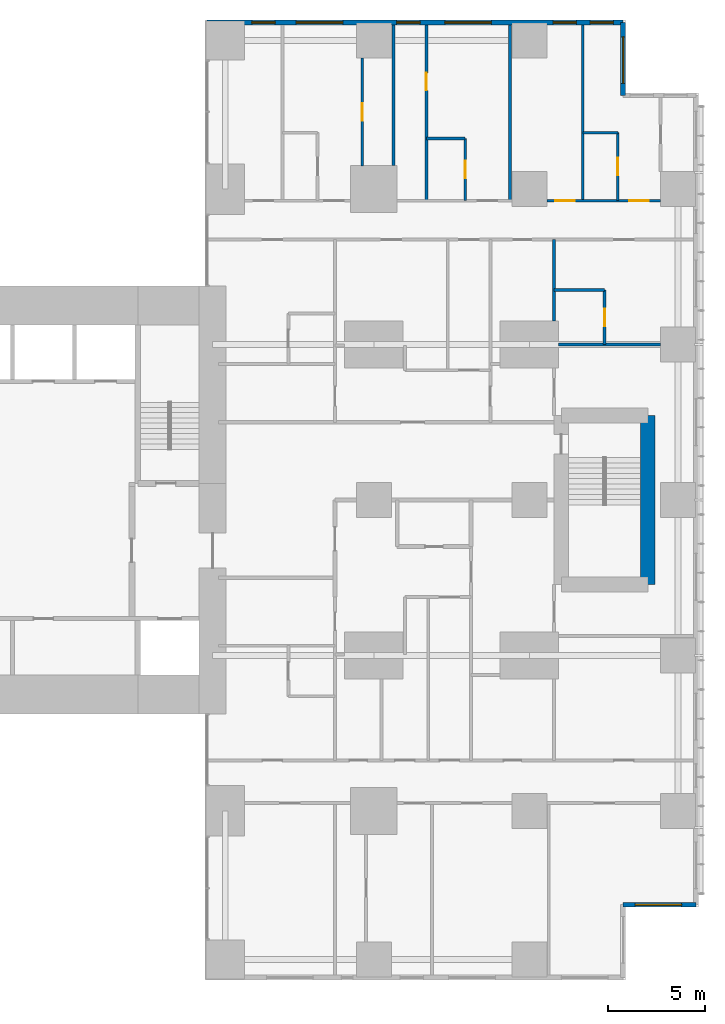
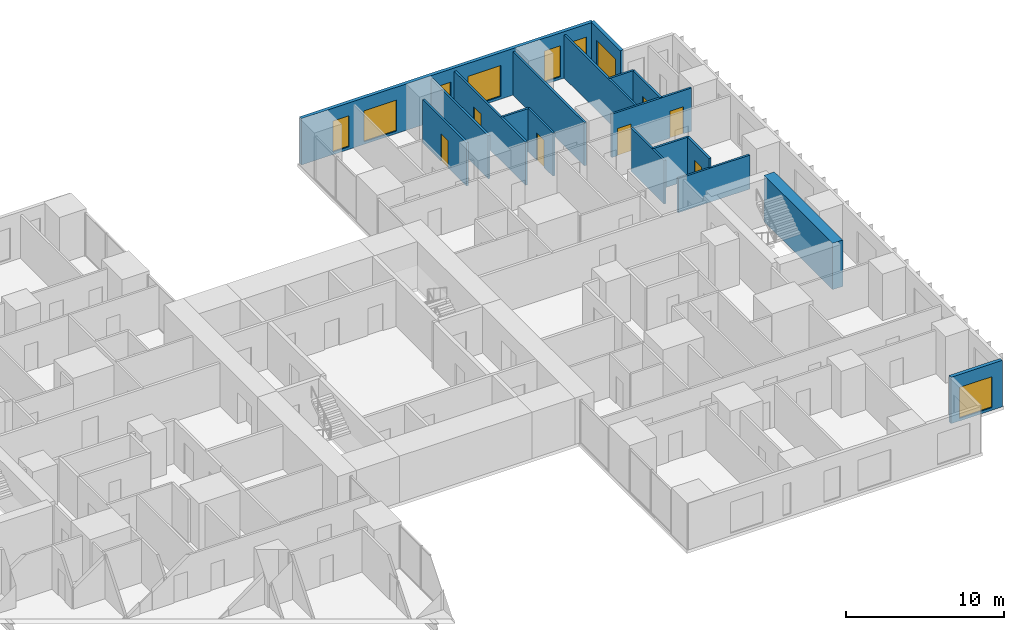
# One storey, part 18 of 20: 18 walls, 8 windows, 7 doors, 15 openings.
"""IFC4 building model written with IfcOpenShell, lengths in metres."""

from ifc_helpers import new_model, si_unit, direction, frame, frame_2d, origin, place, context, subcontext, project, spatial, rectangle, extrude, material, layer, layer_set, type_object, element, fill, save


model = new_model("IFC4")

# Units and contexts
model_context = context("Model", 3, precision=1e-05, world=origin(), true_north=direction((0.0, 1.0)))
body_context = subcontext(model_context, "Body", "Model", "MODEL_VIEW")
ifc_project = project(units=[si_unit("LENGTHUNIT", "METRE"), si_unit("AREAUNIT", "SQUARE_METRE"), si_unit("VOLUMEUNIT", "CUBIC_METRE"), si_unit("PLANEANGLEUNIT", "RADIAN"), si_unit("MASSUNIT", "GRAM", prefix="KILO")], contexts=[model_context])

# Site, building, storey
site_placement = place(None, origin())
site = spatial("IfcSite", under=ifc_project, at=site_placement, CompositionType="ELEMENT")
building_placement = place(site_placement, origin())
building = spatial("IfcBuilding", under=site, at=building_placement, Name="Cleftline Residences", CompositionType="ELEMENT")
storey_placement = place(building_placement, frame((0.0, 0.0, 193.0)))
storey = spatial("IfcBuildingStorey", under=building, at=storey_placement, Name="L50", CompositionType="ELEMENT", Elevation=193.0)

# Wall, opening, window
ifc_material_1 = material(Name="Rendered reinforced concrete blockwork", Category="masonry")
ifc_layer_1 = layer(ifc_material_1, 0.25)
ifc_layer_set_1 = layer_set([ifc_layer_1], Name="EXTERNAL WALL 250")
wall_type_1 = type_object("IfcWallType", Name="EXTERNAL WALL 250", PredefinedType="SOLIDWALL", material=ifc_layer_set_1)
wall_1_placement = place(storey_placement, frame((62.824951171875, 3.175048828125, 0.0), z_axis=(0.0, 0.0, 1.0), x_axis=(1.0, 0.0, 0.0)))
wall_1 = element("IfcWall", 1, at=wall_1_placement, inside=storey, type_object=wall_type_1, Name="External wall", PredefinedType="SOLIDWALL", context=body_context, shape_type="SweptSolid", body=[
    extrude(rectangle(XDim=3.75, YDim=0.25, at=frame_2d((1.875, 0.0))), origin(), (0.0, 0.0, 1.0), 3.60009765625),
])
opening_1_placement = place(wall_1_placement, frame((0.612548828125, 0.0, 0.199951171875)))
opening_1 = element("IfcOpeningElement", 2, at=opening_1_placement, cuts=wall_1, Name="Opening W9", PredefinedType="OPENING", context=body_context, shape_type="SweptSolid", body=[
    extrude(rectangle(XDim=2.39990234375, YDim=2.39990234375, at=frame_2d((1.199951171875, 1.199951171875))), frame((0.0, 0.135009765625, 0.0), z_axis=(0.0, -1.0, 0.0), x_axis=(1.0, 0.0, 0.0)), (0.0, 0.0, 1.0), 0.27001953125),
])
ifc_material_2 = material(Name="Aluminium frame, clear double glazing", Category="aluminium")
window_type_1 = type_object("IfcWindowType", Name="WINDOW 2400X2400", PartitioningType="DOUBLE_PANEL_VERTICAL", PredefinedType="WINDOW", material=ifc_material_2)
window_1_placement = place(opening_1_placement, origin())
window_1 = element("IfcWindow", 3, at=window_1_placement, inside=storey, type_object=window_type_1, Name="Window", OverallHeight=2.39990234375, OverallWidth=2.39990234375, PartitioningType="SINGLE_PANEL", PredefinedType="WINDOW", context=body_context, shape_type="SweptSolid", body=[
    extrude(rectangle(XDim=2.39990234375, YDim=2.39990234375, at=frame_2d((1.199951171875, 1.199951171875))), frame((0.0, 0.030029296875, 0.0), z_axis=(0.0, -1.0, 0.0), x_axis=(1.0, 0.0, 0.0)), (0.0, 0.0, 1.0), 0.06005859375),
])
fill(opening_1, window_1)

wall_2_placement = place(storey_placement, frame((62.824951171875, 44.824951171875, 0.0), z_axis=(0.0, 0.0, 1.0), x_axis=(0.0, 1.0, 0.0)))
wall_2 = element("IfcWall", 4, at=wall_2_placement, inside=storey, type_object=wall_type_1, Name="External wall", PredefinedType="SOLIDWALL", context=body_context, shape_type="SweptSolid", body=[
    extrude(rectangle(XDim=3.75, YDim=0.25, at=frame_2d((1.875, 0.0))), origin(), (0.0, 0.0, 1.0), 3.60009765625),
])
opening_2_placement = place(wall_2_placement, frame((0.612548828125, 0.0, 0.199951171875)))
opening_2 = element("IfcOpeningElement", 5, at=opening_2_placement, cuts=wall_2, Name="Opening W9", PredefinedType="OPENING", context=body_context, shape_type="SweptSolid", body=[
    extrude(rectangle(XDim=2.39990234375, YDim=2.39990234375, at=frame_2d((1.199951171875, 1.199951171875))), frame((0.0, 0.135009765625, 0.0), z_axis=(0.0, -1.0, 0.0), x_axis=(1.0, 0.0, 0.0)), (0.0, 0.0, 1.0), 0.27001953125),
])
window_2_placement = place(opening_2_placement, origin())
window_2 = element("IfcWindow", 6, at=window_2_placement, inside=storey, type_object=window_type_1, Name="Window", OverallHeight=2.39990234375, OverallWidth=2.39990234375, PartitioningType="SINGLE_PANEL", PredefinedType="WINDOW", context=body_context, shape_type="SweptSolid", body=[
    extrude(rectangle(XDim=2.39990234375, YDim=2.39990234375, at=frame_2d((1.199951171875, 1.199951171875))), frame((0.0, 0.030029296875, 0.0), z_axis=(0.0, -1.0, 0.0), x_axis=(1.0, 0.0, 0.0)), (0.0, 0.0, 1.0), 0.06005859375),
])
fill(opening_2, window_2)

# Wall, openings, windows
wall_3_placement = place(storey_placement, frame((62.824951171875, 48.574951171875, 0.0), z_axis=(0.0, 0.0, 1.0), x_axis=(-1.0, 0.0, 0.0)))
wall_3 = element("IfcWall", 7, at=wall_3_placement, inside=storey, type_object=wall_type_1, Name="External wall", PredefinedType="SOLIDWALL", context=body_context, shape_type="SweptSolid", body=[
    extrude(rectangle(XDim=21.39990234375, YDim=0.25, at=frame_2d((10.699951171875, 0.0))), origin(), (0.0, 0.0, 1.0), 3.60009765625),
])
opening_3_placement = place(wall_3_placement, frame((0.5, 0.0, 0.199951171875)))
opening_3 = element("IfcOpeningElement", 8, at=opening_3_placement, cuts=wall_3, Name="Opening W13", PredefinedType="OPENING", context=body_context, shape_type="SweptSolid", body=[
    extrude(rectangle(XDim=1.199951171875, YDim=2.39990234375, at=frame_2d((0.60009765625, 1.199951171875))), frame((0.0, 0.135009765625, 0.0), z_axis=(0.0, -1.0, 0.0), x_axis=(1.0, 0.0, 0.0)), (0.0, 0.0, 1.0), 0.27001953125),
])
opening_4_placement = place(wall_3_placement, frame((2.39990234375, 0.0, 0.199951171875)))
opening_4 = element("IfcOpeningElement", 9, at=opening_4_placement, cuts=wall_3, Name="Opening W13", PredefinedType="OPENING", context=body_context, shape_type="SweptSolid", body=[
    extrude(rectangle(XDim=1.199951171875, YDim=2.39990234375, at=frame_2d((0.60009765625, 1.199951171875))), frame((0.0, 0.135009765625, 0.0), z_axis=(0.0, -1.0, 0.0), x_axis=(1.0, 0.0, 0.0)), (0.0, 0.0, 1.0), 0.27001953125),
])
opening_5_placement = place(wall_3_placement, frame((6.77490234375, 0.0, 0.199951171875)))
opening_5 = element("IfcOpeningElement", 10, at=opening_5_placement, cuts=wall_3, Name="Opening W9", PredefinedType="OPENING", context=body_context, shape_type="SweptSolid", body=[
    extrude(rectangle(XDim=2.39990234375, YDim=2.39990234375, at=frame_2d((1.199951171875, 1.199951171875))), frame((0.0, 0.135009765625, 0.0), z_axis=(0.0, -1.0, 0.0), x_axis=(1.0, 0.0, 0.0)), (0.0, 0.0, 1.0), 0.27001953125),
])
opening_6_placement = place(wall_3_placement, frame((10.449951171875, 0.0, 0.199951171875)))
opening_6 = element("IfcOpeningElement", 11, at=opening_6_placement, cuts=wall_3, Name="Opening W13", PredefinedType="OPENING", context=body_context, shape_type="SweptSolid", body=[
    extrude(rectangle(XDim=1.199951171875, YDim=2.39990234375, at=frame_2d((0.60009765625, 1.199951171875))), frame((0.0, 0.135009765625, 0.0), z_axis=(0.0, -1.0, 0.0), x_axis=(1.0, 0.0, 0.0)), (0.0, 0.0, 1.0), 0.27001953125),
])
opening_7_placement = place(wall_3_placement, frame((14.425048828125, 0.0, 0.199951171875)))
opening_7 = element("IfcOpeningElement", 12, at=opening_7_placement, cuts=wall_3, Name="Opening W9", PredefinedType="OPENING", context=body_context, shape_type="SweptSolid", body=[
    extrude(rectangle(XDim=2.39990234375, YDim=2.39990234375, at=frame_2d((1.199951171875, 1.199951171875))), frame((0.0, 0.135009765625, 0.0), z_axis=(0.0, -1.0, 0.0), x_axis=(1.0, 0.0, 0.0)), (0.0, 0.0, 1.0), 0.27001953125),
])
opening_8_placement = place(wall_3_placement, frame((17.89990234375, 0.0, 0.199951171875)))
opening_8 = element("IfcOpeningElement", 13, at=opening_8_placement, cuts=wall_3, Name="Opening W13", PredefinedType="OPENING", context=body_context, shape_type="SweptSolid", body=[
    extrude(rectangle(XDim=1.199951171875, YDim=2.39990234375, at=frame_2d((0.60009765625, 1.199951171875))), frame((0.0, 0.135009765625, 0.0), z_axis=(0.0, -1.0, 0.0), x_axis=(1.0, 0.0, 0.0)), (0.0, 0.0, 1.0), 0.27001953125),
])
ifc_material_3 = material(Name="Aluminium frame, clear double glazing", Category="aluminium")
window_type_2 = type_object("IfcWindowType", Name="WINDOW 1200X2400", PartitioningType="DOUBLE_PANEL_VERTICAL", PredefinedType="WINDOW", material=ifc_material_3)
window_3_placement = place(opening_3_placement, origin())
window_3 = element("IfcWindow", 14, at=window_3_placement, inside=storey, type_object=window_type_2, Name="Window", OverallHeight=2.39990234375, OverallWidth=1.199951171875, PartitioningType="SINGLE_PANEL", PredefinedType="WINDOW", context=body_context, shape_type="SweptSolid", body=[
    extrude(rectangle(XDim=1.199951171875, YDim=2.39990234375, at=frame_2d((0.60009765625, 1.199951171875))), frame((0.0, 0.030029296875, 0.0), z_axis=(0.0, -1.0, 0.0), x_axis=(1.0, 0.0, 0.0)), (0.0, 0.0, 1.0), 0.06005859375),
])
fill(opening_3, window_3)
window_4_placement = place(opening_4_placement, origin())
window_4 = element("IfcWindow", 15, at=window_4_placement, inside=storey, type_object=window_type_2, Name="Window", OverallHeight=2.39990234375, OverallWidth=1.199951171875, PartitioningType="SINGLE_PANEL", PredefinedType="WINDOW", context=body_context, shape_type="SweptSolid", body=[
    extrude(rectangle(XDim=1.199951171875, YDim=2.39990234375, at=frame_2d((0.60009765625, 1.199951171875))), frame((0.0, 0.030029296875, 0.0), z_axis=(0.0, -1.0, 0.0), x_axis=(1.0, 0.0, 0.0)), (0.0, 0.0, 1.0), 0.06005859375),
])
fill(opening_4, window_4)
window_5_placement = place(opening_6_placement, origin())
window_5 = element("IfcWindow", 16, at=window_5_placement, inside=storey, type_object=window_type_2, Name="Window", OverallHeight=2.39990234375, OverallWidth=1.199951171875, PartitioningType="SINGLE_PANEL", PredefinedType="WINDOW", context=body_context, shape_type="SweptSolid", body=[
    extrude(rectangle(XDim=1.199951171875, YDim=2.39990234375, at=frame_2d((0.60009765625, 1.199951171875))), frame((0.0, 0.030029296875, 0.0), z_axis=(0.0, -1.0, 0.0), x_axis=(1.0, 0.0, 0.0)), (0.0, 0.0, 1.0), 0.06005859375),
])
fill(opening_6, window_5)
window_6_placement = place(opening_8_placement, origin())
window_6 = element("IfcWindow", 17, at=window_6_placement, inside=storey, type_object=window_type_2, Name="Window", OverallHeight=2.39990234375, OverallWidth=1.199951171875, PartitioningType="SINGLE_PANEL", PredefinedType="WINDOW", context=body_context, shape_type="SweptSolid", body=[
    extrude(rectangle(XDim=1.199951171875, YDim=2.39990234375, at=frame_2d((0.60009765625, 1.199951171875))), frame((0.0, 0.030029296875, 0.0), z_axis=(0.0, -1.0, 0.0), x_axis=(1.0, 0.0, 0.0)), (0.0, 0.0, 1.0), 0.06005859375),
])
fill(opening_8, window_6)
window_7_placement = place(opening_5_placement, origin())
window_7 = element("IfcWindow", 18, at=window_7_placement, inside=storey, type_object=window_type_1, Name="Window", OverallHeight=2.39990234375, OverallWidth=2.39990234375, PartitioningType="SINGLE_PANEL", PredefinedType="WINDOW", context=body_context, shape_type="SweptSolid", body=[
    extrude(rectangle(XDim=2.39990234375, YDim=2.39990234375, at=frame_2d((1.199951171875, 1.199951171875))), frame((0.0, 0.030029296875, 0.0), z_axis=(0.0, -1.0, 0.0), x_axis=(1.0, 0.0, 0.0)), (0.0, 0.0, 1.0), 0.06005859375),
])
fill(opening_5, window_7)
window_8_placement = place(opening_7_placement, origin())
window_8 = element("IfcWindow", 19, at=window_8_placement, inside=storey, type_object=window_type_1, Name="Window", OverallHeight=2.39990234375, OverallWidth=2.39990234375, PartitioningType="SINGLE_PANEL", PredefinedType="WINDOW", context=body_context, shape_type="SweptSolid", body=[
    extrude(rectangle(XDim=2.39990234375, YDim=2.39990234375, at=frame_2d((1.199951171875, 1.199951171875))), frame((0.0, 0.030029296875, 0.0), z_axis=(0.0, -1.0, 0.0), x_axis=(1.0, 0.0, 0.0)), (0.0, 0.0, 1.0), 0.06005859375),
])
fill(opening_7, window_8)

# Walls
ifc_material_4 = material(Name="Gypsum board on steel studs", Category="steel")
ifc_layer_2 = layer(ifc_material_4, 0.14990234375)
ifc_layer_set_2 = layer_set([ifc_layer_2], Name="PARTITION 150")
wall_type_2 = type_object("IfcWallType", Name="PARTITION 150", PredefinedType="PARTITIONING", material=ifc_layer_set_2)
wall_4_placement = place(storey_placement, frame((59.5, 32.0, 0.0), z_axis=(0.0, 0.0, 1.0), x_axis=(1.0, 0.0, 0.0)))
element("IfcWall", 20, at=wall_4_placement, inside=storey, type_object=wall_type_2, Name="Partition", PredefinedType="PARTITIONING", context=body_context, shape_type="SweptSolid", body=[
    extrude(rectangle(XDim=5.25, YDim=0.14990234375, at=frame_2d((2.625, 0.0))), origin(), (0.0, 0.0, 1.0), 2.634033203125),
])
wall_5_placement = place(storey_placement, frame((59.27490234375, 34.800048828125, 0.0), z_axis=(0.0, 0.0, 1.0), x_axis=(1.0, 0.0, 0.0)))
element("IfcWall", 21, at=wall_5_placement, inside=storey, type_object=wall_type_2, Name="Partition", PredefinedType="PARTITIONING", context=body_context, shape_type="SweptSolid", body=[
    extrude(rectangle(XDim=2.60009765625, YDim=0.14990234375, at=frame_2d((1.300048828125, 0.0))), origin(), (0.0, 0.0, 1.0), 3.35009765625),
])

# Wall, openings, doors
wall_6_placement = place(storey_placement, frame((58.89990234375, 39.39990234375, 0.0), z_axis=(0.0, 0.0, 1.0), x_axis=(1.0, 0.0, 0.0)))
wall_6 = element("IfcWall", 22, at=wall_6_placement, inside=storey, type_object=wall_type_2, Name="Partition", PredefinedType="PARTITIONING", context=body_context, shape_type="SweptSolid", body=[
    extrude(rectangle(XDim=5.85009765625, YDim=0.14990234375, at=frame_2d((2.925048828125, 0.0))), origin(), (0.0, 0.0, 1.0), 3.35009765625),
])
opening_9_placement = place(wall_6_placement, frame((4.25, 0.0, 0.0)))
opening_9 = element("IfcOpeningElement", 23, at=opening_9_placement, cuts=wall_6, Name="Opening D2", PredefinedType="OPENING", context=body_context, shape_type="SweptSolid", body=[
    extrude(rectangle(XDim=1.0, YDim=2.10009765625, at=frame_2d((0.5, 1.050048828125))), frame((0.0, 0.0849609375, 0.0), z_axis=(0.0, -1.0, 0.0), x_axis=(1.0, 0.0, 0.0)), (0.0, 0.0, 1.0), 0.169921875),
])
opening_10_placement = place(wall_6_placement, frame((0.425048828125, 0.0, 0.0)))
opening_10 = element("IfcOpeningElement", 24, at=opening_10_placement, cuts=wall_6, Name="Opening D2", PredefinedType="OPENING", context=body_context, shape_type="SweptSolid", body=[
    extrude(rectangle(XDim=1.0, YDim=2.10009765625, at=frame_2d((0.5, 1.050048828125))), frame((0.0, 0.0849609375, 0.0), z_axis=(0.0, -1.0, 0.0), x_axis=(1.0, 0.0, 0.0)), (0.0, 0.0, 1.0), 0.169921875),
])
ifc_material_5 = material(Name="Timber veneer on solid core", Category="wood")
door_type_1 = type_object("IfcDoorType", Name="DOOR 1000X2100", OperationType="SINGLE_SWING_LEFT", PredefinedType="DOOR", material=ifc_material_5)
door_1_placement = place(opening_9_placement, origin())
door_1 = element("IfcDoor", 25, at=door_1_placement, inside=storey, type_object=door_type_1, Name="Door to bedroom 2", OperationType="SINGLE_SWING_LEFT", OverallHeight=2.10009765625, OverallWidth=1.0, PredefinedType="DOOR", context=body_context, shape_type="SweptSolid", body=[
    extrude(rectangle(XDim=1.0, YDim=2.10009765625, at=frame_2d((0.5, 1.050048828125))), frame((0.0, 0.02490234375, 0.0), z_axis=(0.0, -1.0, 0.0), x_axis=(1.0, 0.0, 0.0)), (0.0, 0.0, 1.0), 0.050048828125),
])
fill(opening_9, door_1)
door_2_placement = place(opening_10_placement, origin())
door_2 = element("IfcDoor", 26, at=door_2_placement, inside=storey, type_object=door_type_1, Name="Door to bedroom 2 sitting room", OperationType="SINGLE_SWING_RIGHT", OverallHeight=2.10009765625, OverallWidth=1.0, PredefinedType="DOOR", context=body_context, shape_type="SweptSolid", body=[
    extrude(rectangle(XDim=1.0, YDim=2.10009765625, at=frame_2d((0.5, 1.050048828125))), frame((0.0, 0.02490234375, 0.0), z_axis=(0.0, -1.0, 0.0), x_axis=(1.0, 0.0, 0.0)), (0.0, 0.0, 1.0), 0.050048828125),
])
fill(opening_10, door_2)

# Walls
wall_7_placement = place(storey_placement, frame((52.699951171875, 42.60009765625, 0.0), z_axis=(0.0, 0.0, 1.0), x_axis=(1.0, 0.0, 0.0)))
element("IfcWall", 27, at=wall_7_placement, inside=storey, type_object=wall_type_2, Name="Partition", PredefinedType="PARTITIONING", context=body_context, shape_type="SweptSolid", body=[
    extrude(rectangle(XDim=2.0, YDim=0.14990234375, at=frame_2d((1.0, 0.0))), origin(), (0.0, 0.0, 1.0), 3.35009765625),
])
wall_8_placement = place(storey_placement, frame((60.75, 42.89990234375, 0.0), z_axis=(0.0, 0.0, 1.0), x_axis=(1.0, 0.0, 0.0)))
element("IfcWall", 28, at=wall_8_placement, inside=storey, type_object=wall_type_2, Name="Partition", PredefinedType="PARTITIONING", context=body_context, shape_type="SweptSolid", body=[
    extrude(rectangle(XDim=1.800048828125, YDim=0.14990234375, at=frame_2d((0.89990234375, 0.0))), origin(), (0.0, 0.0, 1.0), 3.35009765625),
])

# Wall, opening, door
wall_9_placement = place(storey_placement, frame((49.39990234375, 41.199951171875, 0.0), z_axis=(0.0, 0.0, 1.0), x_axis=(0.0, 1.0, 0.0)))
wall_9 = element("IfcWall", 29, at=wall_9_placement, inside=storey, type_object=wall_type_2, Name="Partition", PredefinedType="PARTITIONING", context=body_context, shape_type="SweptSolid", body=[
    extrude(rectangle(XDim=5.550048828125, YDim=0.14990234375, at=frame_2d((2.77490234375, 0.0))), origin(), (0.0, 0.0, 1.0), 3.35009765625),
])
opening_11_placement = place(wall_9_placement, frame((2.324951171875, 0.0, 0.0)))
opening_11 = element("IfcOpeningElement", 30, at=opening_11_placement, cuts=wall_9, Name="Opening D1", PredefinedType="OPENING", context=body_context, shape_type="SweptSolid", body=[
    extrude(rectangle(XDim=0.89990234375, YDim=2.10009765625, at=frame_2d((0.449951171875, 1.050048828125))), frame((0.0, 0.0849609375, 0.0), z_axis=(0.0, -1.0, 0.0), x_axis=(1.0, 0.0, 0.0)), (0.0, 0.0, 1.0), 0.169921875),
])
ifc_material_6 = material(Name="Timber veneer on solid core", Category="wood")
door_type_2 = type_object("IfcDoorType", Name="DOOR 900X2100", OperationType="SINGLE_SWING_LEFT", PredefinedType="DOOR", material=ifc_material_6)
door_3_placement = place(opening_11_placement, origin())
door_3 = element("IfcDoor", 31, at=door_3_placement, inside=storey, type_object=door_type_2, Name="Door to walk-in wardrobe", OperationType="SINGLE_SWING_LEFT", OverallHeight=2.10009765625, OverallWidth=0.89990234375, PredefinedType="DOOR", context=body_context, shape_type="SweptSolid", body=[
    extrude(rectangle(XDim=0.89990234375, YDim=2.10009765625, at=frame_2d((0.449951171875, 1.050048828125))), frame((0.0, 0.02490234375, 0.0), z_axis=(0.0, -1.0, 0.0), x_axis=(1.0, 0.0, 0.0)), (0.0, 0.0, 1.0), 0.050048828125),
])
fill(opening_11, door_3)

# Wall
wall_10_placement = place(storey_placement, frame((51.0, 41.199951171875, 0.0), z_axis=(0.0, 0.0, 1.0), x_axis=(0.0, 1.0, 0.0)))
element("IfcWall", 32, at=wall_10_placement, inside=storey, type_object=wall_type_2, Name="Partition", PredefinedType="PARTITIONING", context=body_context, shape_type="SweptSolid", body=[
    extrude(rectangle(XDim=7.25, YDim=0.14990234375, at=frame_2d((3.625, 0.0))), origin(), (0.0, 0.0, 1.0), 3.35009765625),
])

# Wall, opening, door
wall_11_placement = place(storey_placement, frame((52.699951171875, 39.39990234375, 0.0), z_axis=(0.0, 0.0, 1.0), x_axis=(0.0, 1.0, 0.0)))
wall_11 = element("IfcWall", 33, at=wall_11_placement, inside=storey, type_object=wall_type_2, Name="Partition", PredefinedType="PARTITIONING", context=body_context, shape_type="SweptSolid", body=[
    extrude(rectangle(XDim=9.050048828125, YDim=0.14990234375, at=frame_2d((4.52490234375, 0.0))), origin(), (0.0, 0.0, 1.0), 3.35009765625),
])
opening_12_placement = place(wall_11_placement, frame((5.675048828125, 0.0, 0.0)))
opening_12 = element("IfcOpeningElement", 34, at=opening_12_placement, cuts=wall_11, Name="Opening D1", PredefinedType="OPENING", context=body_context, shape_type="SweptSolid", body=[
    extrude(rectangle(XDim=0.89990234375, YDim=2.10009765625, at=frame_2d((0.449951171875, 1.050048828125))), frame((0.0, 0.0849609375, 0.0), z_axis=(0.0, -1.0, 0.0), x_axis=(1.0, 0.0, 0.0)), (0.0, 0.0, 1.0), 0.169921875),
])
door_4_placement = place(opening_12_placement, origin())
door_4 = element("IfcDoor", 35, at=door_4_placement, inside=storey, type_object=door_type_2, Name="Door to walk-in wardrobe", OperationType="SINGLE_SWING_LEFT", OverallHeight=2.10009765625, OverallWidth=0.89990234375, PredefinedType="DOOR", context=body_context, shape_type="SweptSolid", body=[
    extrude(rectangle(XDim=0.89990234375, YDim=2.10009765625, at=frame_2d((0.449951171875, 1.050048828125))), frame((0.0, 0.02490234375, 0.0), z_axis=(0.0, -1.0, 0.0), x_axis=(1.0, 0.0, 0.0)), (0.0, 0.0, 1.0), 0.050048828125),
])
fill(opening_12, door_4)

wall_12_placement = place(storey_placement, frame((54.699951171875, 39.39990234375, 0.0), z_axis=(0.0, 0.0, 1.0), x_axis=(0.0, 1.0, 0.0)))
wall_12 = element("IfcWall", 36, at=wall_12_placement, inside=storey, type_object=wall_type_2, Name="Partition", PredefinedType="PARTITIONING", context=body_context, shape_type="SweptSolid", body=[
    extrude(rectangle(XDim=3.2001953125, YDim=0.14990234375, at=frame_2d((1.60009765625, 0.0))), origin(), (0.0, 0.0, 1.0), 3.35009765625),
])
opening_13_placement = place(wall_12_placement, frame((1.14990234375, 0.0, 0.0)))
opening_13 = element("IfcOpeningElement", 37, at=opening_13_placement, cuts=wall_12, Name="Opening D1", PredefinedType="OPENING", context=body_context, shape_type="SweptSolid", body=[
    extrude(rectangle(XDim=0.89990234375, YDim=2.10009765625, at=frame_2d((0.449951171875, 1.050048828125))), frame((0.0, 0.0849609375, 0.0), z_axis=(0.0, -1.0, 0.0), x_axis=(1.0, 0.0, 0.0)), (0.0, 0.0, 1.0), 0.169921875),
])
door_5_placement = place(opening_13_placement, origin())
door_5 = element("IfcDoor", 38, at=door_5_placement, inside=storey, type_object=door_type_2, Name="Door to en-suite bathroom 3", OperationType="SINGLE_SWING_LEFT", OverallHeight=2.10009765625, OverallWidth=0.89990234375, PredefinedType="DOOR", context=body_context, shape_type="SweptSolid", body=[
    extrude(rectangle(XDim=0.89990234375, YDim=2.10009765625, at=frame_2d((0.449951171875, 1.050048828125))), frame((0.0, 0.02490234375, 0.0), z_axis=(0.0, -1.0, 0.0), x_axis=(1.0, 0.0, 0.0)), (0.0, 0.0, 1.0), 0.050048828125),
])
fill(opening_13, door_5)

# Walls
wall_13_placement = place(storey_placement, frame((57.0, 39.39990234375, 0.0), z_axis=(0.0, 0.0, 1.0), x_axis=(0.0, 1.0, 0.0)))
element("IfcWall", 39, at=wall_13_placement, inside=storey, type_object=wall_type_2, Name="Partition", PredefinedType="PARTITIONING", context=body_context, shape_type="SweptSolid", body=[
    extrude(rectangle(XDim=9.050048828125, YDim=0.14990234375, at=frame_2d((4.52490234375, 0.0))), origin(), (0.0, 0.0, 1.0), 3.35009765625),
])
wall_14_placement = place(storey_placement, frame((59.27490234375, 33.199951171875, 0.0), z_axis=(0.0, 0.0, 1.0), x_axis=(0.0, 1.0, 0.0)))
element("IfcWall", 40, at=wall_14_placement, inside=storey, type_object=wall_type_2, Name="Partition", PredefinedType="PARTITIONING", context=body_context, shape_type="SweptSolid", body=[
    extrude(rectangle(XDim=4.199951171875, YDim=0.14990234375, at=frame_2d((2.10009765625, 0.0))), origin(), (0.0, 0.0, 1.0), 3.35009765625),
])
wall_15_placement = place(storey_placement, frame((60.75, 39.39990234375, 0.0), z_axis=(0.0, 0.0, 1.0), x_axis=(0.0, 1.0, 0.0)))
element("IfcWall", 41, at=wall_15_placement, inside=storey, type_object=wall_type_2, Name="Partition", PredefinedType="PARTITIONING", context=body_context, shape_type="SweptSolid", body=[
    extrude(rectangle(XDim=9.050048828125, YDim=0.14990234375, at=frame_2d((4.52490234375, 0.0))), origin(), (0.0, 0.0, 1.0), 3.35009765625),
])

# Wall, opening, door
wall_16_placement = place(storey_placement, frame((61.875, 32.0, 0.0), z_axis=(0.0, 0.0, 1.0), x_axis=(0.0, 1.0, 0.0)))
wall_16 = element("IfcWall", 42, at=wall_16_placement, inside=storey, type_object=wall_type_2, Name="Partition", PredefinedType="PARTITIONING", context=body_context, shape_type="SweptSolid", body=[
    extrude(rectangle(XDim=2.800048828125, YDim=0.14990234375, at=frame_2d((1.39990234375, 0.0))), origin(), (0.0, 0.0, 1.0), 3.35009765625),
])
opening_14_placement = place(wall_16_placement, frame((0.949951171875, 0.0, 0.0)))
opening_14 = element("IfcOpeningElement", 43, at=opening_14_placement, cuts=wall_16, Name="Opening D1", PredefinedType="OPENING", context=body_context, shape_type="SweptSolid", body=[
    extrude(rectangle(XDim=0.89990234375, YDim=2.10009765625, at=frame_2d((0.449951171875, 1.050048828125))), frame((0.0, 0.0849609375, 0.0), z_axis=(0.0, -1.0, 0.0), x_axis=(1.0, 0.0, 0.0)), (0.0, 0.0, 1.0), 0.169921875),
])
door_6_placement = place(opening_14_placement, origin())
door_6 = element("IfcDoor", 44, at=door_6_placement, inside=storey, type_object=door_type_2, Name="Door to master bathroom", OperationType="SINGLE_SWING_LEFT", OverallHeight=2.10009765625, OverallWidth=0.89990234375, PredefinedType="DOOR", context=body_context, shape_type="SweptSolid", body=[
    extrude(rectangle(XDim=0.89990234375, YDim=2.10009765625, at=frame_2d((0.449951171875, 1.050048828125))), frame((0.0, 0.02490234375, 0.0), z_axis=(0.0, -1.0, 0.0), x_axis=(1.0, 0.0, 0.0)), (0.0, 0.0, 1.0), 0.050048828125),
])
fill(opening_14, door_6)

wall_17_placement = place(storey_placement, frame((62.550048828125, 39.39990234375, 0.0), z_axis=(0.0, 0.0, 1.0), x_axis=(0.0, 1.0, 0.0)))
wall_17 = element("IfcWall", 45, at=wall_17_placement, inside=storey, type_object=wall_type_2, Name="Partition", PredefinedType="PARTITIONING", context=body_context, shape_type="SweptSolid", body=[
    extrude(rectangle(XDim=3.5, YDim=0.14990234375, at=frame_2d((1.75, 0.0))), origin(), (0.0, 0.0, 1.0), 3.35009765625),
])
opening_15_placement = place(wall_17_placement, frame((1.300048828125, 0.0, 0.0)))
opening_15 = element("IfcOpeningElement", 46, at=opening_15_placement, cuts=wall_17, Name="Opening D1", PredefinedType="OPENING", context=body_context, shape_type="SweptSolid", body=[
    extrude(rectangle(XDim=0.89990234375, YDim=2.10009765625, at=frame_2d((0.449951171875, 1.050048828125))), frame((0.0, 0.0849609375, 0.0), z_axis=(0.0, -1.0, 0.0), x_axis=(1.0, 0.0, 0.0)), (0.0, 0.0, 1.0), 0.169921875),
])
door_7_placement = place(opening_15_placement, origin())
door_7 = element("IfcDoor", 47, at=door_7_placement, inside=storey, type_object=door_type_2, Name="Door to en-suite bathroom 2", OperationType="SINGLE_SWING_LEFT", OverallHeight=2.10009765625, OverallWidth=0.89990234375, PredefinedType="DOOR", context=body_context, shape_type="SweptSolid", body=[
    extrude(rectangle(XDim=0.89990234375, YDim=2.10009765625, at=frame_2d((0.449951171875, 1.050048828125))), frame((0.0, 0.02490234375, 0.0), z_axis=(0.0, -1.0, 0.0), x_axis=(1.0, 0.0, 0.0)), (0.0, 0.0, 1.0), 0.050048828125),
])
fill(opening_15, door_7)

# Wall
ifc_material_7 = material(Name="Concrete B70", Category="concrete")
ifc_layer_3 = layer(ifc_material_7, 0.75)
ifc_layer_set_3 = layer_set([ifc_layer_3], Name="SHEAR WALL 750")
wall_type_3 = type_object("IfcWallType", Name="SHEAR WALL 750", PredefinedType="SHEAR", material=ifc_layer_set_3)
wall_18_placement = place(storey_placement, frame((64.10009765625, 19.64990234375, 0.0), z_axis=(0.0, 0.0, 1.0), x_axis=(0.0, 1.0, 0.0)))
element("IfcWall", 48, at=wall_18_placement, inside=storey, type_object=wall_type_3, Name="Wing shear wall", PredefinedType="SHEAR", context=body_context, shape_type="SweptSolid", body=[
    extrude(rectangle(XDim=8.7001953125, YDim=0.75, at=frame_2d((4.35009765625, 0.0))), origin(), (0.0, 0.0, 1.0), 3.60009765625),
])

save(model, "model.ifc")
